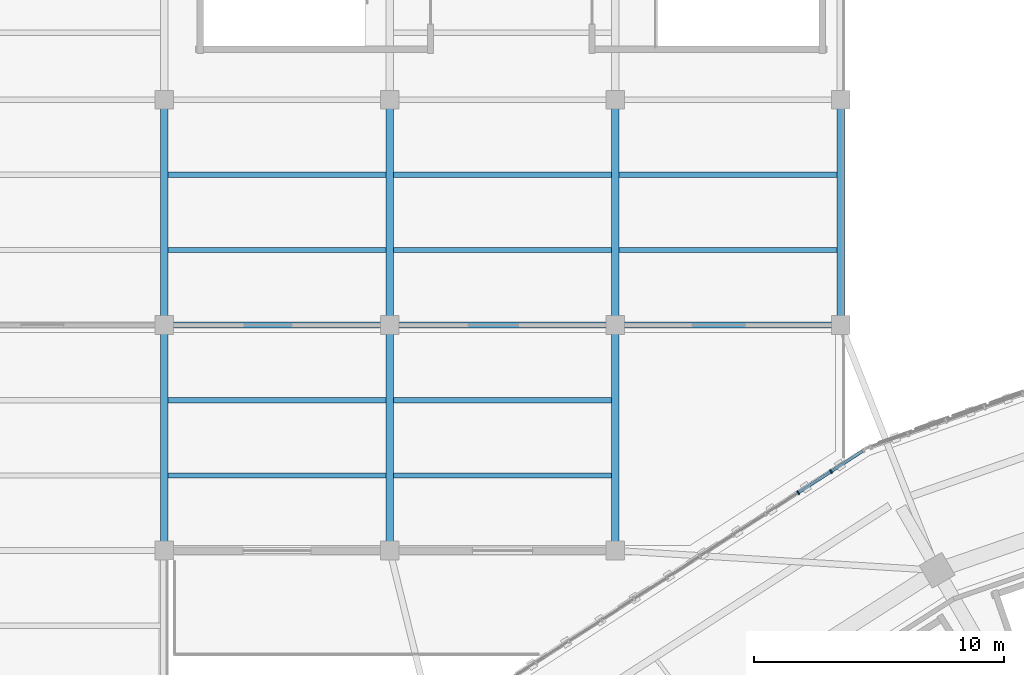
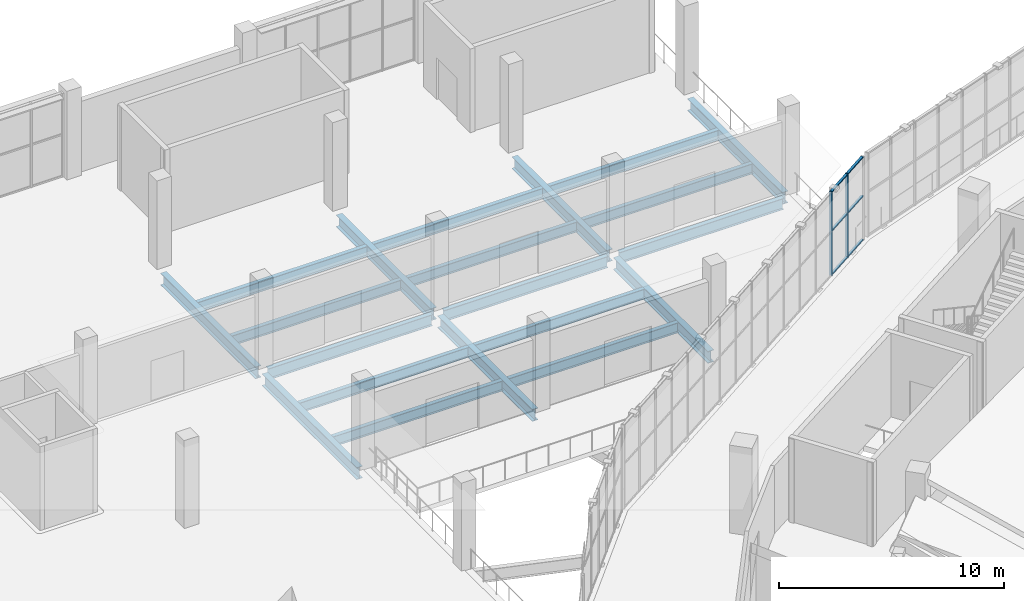
# One storey, part 53 of 152: 20 beams, 8 members, 1 element without a shape of its own.
"""IFC4 building model written with IfcOpenShell, lengths in metres."""

from ifc_helpers import new_model, si_unit, direction, frame, origin, origin_2d, place, context, subcontext, project, spatial, rectangle, i_section, extrude, material, material_profile, profile_set, type_object, element, aggregate, save


model = new_model("IFC4")

# Units and contexts
model_context = context("Model", 3, precision=1e-05, world=origin(), true_north=direction((0.0, 1.0)))
body_context = subcontext(model_context, "Body", "Model", "MODEL_VIEW")
ifc_project = project(units=[si_unit("LENGTHUNIT", "METRE"), si_unit("AREAUNIT", "SQUARE_METRE"), si_unit("VOLUMEUNIT", "CUBIC_METRE"), si_unit("PLANEANGLEUNIT", "RADIAN"), si_unit("MASSUNIT", "GRAM", prefix="KILO")], contexts=[model_context])

# Site, building, storey
site_placement = place(None, origin())
site = spatial("IfcSite", under=ifc_project, at=site_placement, CompositionType="ELEMENT")
building_placement = place(site_placement, origin())
building = spatial("IfcBuilding", under=site, at=building_placement, Name="Zevraka Park Crest Stadium", CompositionType="ELEMENT")
storey_placement = place(building_placement, frame((0.0, 0.0, 15.0)))
storey = spatial("IfcBuildingStorey", under=building, at=storey_placement, Name="L03", CompositionType="ELEMENT", Elevation=15.0)

# Beams
ifc_material_1 = material(Name="Steel S355", Category="steel")
ifc_material_profile_1 = material_profile(ifc_material_1, i_section(OverallWidth=0.300048828125, OverallDepth=0.64990234375, WebThickness=0.01611328125, FlangeThickness=0.031005859375, at=origin_2d()), Name="HEB 650")
ifc_profile_set_1 = profile_set([ifc_material_profile_1], Name="Steel S355")
beam_type_1 = type_object("IfcBeamType", Name="BG07", PredefinedType="BEAM", material=ifc_profile_set_1)
for number, where, z_axis, x_axis, name in (
    (1, (36.0, 158.300048828125, -0.633056640625), (0.0, 1.0, 0.0), (-1.0, 0.0, 0.0), "Wing Girder BG07 L03-5/TU"),
    (2, (36.0, 167.300048828125, -0.633056640625), (0.0, 1.0, 0.0), (-1.0, 0.0, 0.0), "Wing Girder BG07 L03-5/UV"),
    (3, (45.0, 158.300048828125, -0.633056640625), (0.0, 1.0, 0.0), (-1.0, 0.0, 0.0), "Wing Girder BG07 L03-6/TU"),
    (4, (45.0, 167.300048828125, -0.633056640625), (0.0, 1.0, 0.0), (-1.0, 0.0, 0.0), "Wing Girder BG07 L03-6/UV"),
    (5, (54.0, 158.300048828125, -0.633056640625), (0.0, 1.0, 0.0), (-1.0, 0.0, 0.0), "Wing Girder BG07 L03-7/TU"),
    (6, (54.0, 167.300048828125, -0.633056640625), (0.0, 1.0, 0.0), (-1.0, 0.0, 0.0), "Wing Girder BG07 L03-7/UV"),
    (7, (63.0, 167.300048828125, -0.633056640625), (0.0, 1.0, 0.0), (-1.0, 0.0, 0.0), "Wing Girder BG07 L03-8/UV"),
):
    element("IfcBeam", number, at=place(storey_placement, frame(where, z_axis=z_axis, x_axis=x_axis)), inside=storey, type_object=beam_type_1, Name=name, PredefinedType="BEAM", context=body_context, shape_type="SweptSolid", body=[
        extrude(i_section(OverallWidth=0.300048828125, OverallDepth=0.64990234375, WebThickness=0.01611328125, FlangeThickness=0.031005859375, at=origin_2d()), origin(), (0.0, 0.0, 1.0), 8.39990234375),
    ])
ifc_material_2 = material(Name="Steel S355", Category="steel")
ifc_material_profile_2 = material_profile(ifc_material_2, i_section(OverallWidth=0.22900390625, OverallDepth=0.612060546875, WebThickness=0.011962890625, FlangeThickness=0.01953125, at=origin_2d()), Name="UKB 610x229x125")
ifc_profile_set_2 = profile_set([ifc_material_profile_2], Name="Steel S355")
beam_type_2 = type_object("IfcBeamType", Name="BG09", PredefinedType="BEAM", material=ifc_profile_set_2)
for number, where, z_axis, x_axis, name in (
    (8, (36.300048828125, 167.0, -0.614013671875), (1.0, 0.0, 0.0), (0.0, 1.0, 0.0), "Wing Girder BG09 L03-56/U"),
    (9, (45.300048828125, 167.0, -0.614013671875), (1.0, 0.0, 0.0), (0.0, 1.0, 0.0), "Wing Girder BG09 L03-67/U"),
    (10, (54.300048828125, 167.0, -0.614013671875), (1.0, 0.0, 0.0), (0.0, 1.0, 0.0), "Wing Girder BG09 L03-78/U"),
):
    element("IfcBeam", number, at=place(storey_placement, frame(where, z_axis=z_axis, x_axis=x_axis)), inside=storey, type_object=beam_type_2, Name=name, PredefinedType="BEAM", context=body_context, shape_type="SweptSolid", body=[
        extrude(i_section(OverallWidth=0.22900390625, OverallDepth=0.612060546875, WebThickness=0.011962890625, FlangeThickness=0.01953125, at=origin_2d()), origin(), (0.0, 0.0, 1.0), 8.39990234375),
    ])

# Curtain wall, members
ifc_material_3 = material(Name="Anodised architectural aluminium and laminated safety glass", Category="aluminium")
curtain_wall_type = type_object("IfcCurtainWallType", Name="CW13", PredefinedType="NOTDEFINED", material=ifc_material_3)
curtain_wall_placement = place(storey_placement, origin())
curtain_wall = element("IfcCurtainWall", 11, at=curtain_wall_placement, inside=storey, type_object=curtain_wall_type, Name="Unitised Ring Curtain Wall CW13 L03-08", PredefinedType="NOTDEFINED")
ifc_material_4 = material(Name="Anodised architectural aluminium", Category="aluminium")
ifc_material_profile_3 = material_profile(ifc_material_4, rectangle(XDim=0.159912109375, YDim=0.06005859375, at=origin_2d()), Name="ALU MULLION 160x60")
ifc_profile_set_3 = profile_set([ifc_material_profile_3], Name="Anodised architectural aluminium")
member_type_1 = type_object("IfcMemberType", Name="CM01", PredefinedType="MULLION", material=ifc_profile_set_3)
member_1_placement = place(storey_placement, frame((62.6162109375, 161.156982421875, 0.0), z_axis=(0.0, 0.0, 1.0), x_axis=(0.543469160232, -0.839429134517, 0.0)))
member_1 = element("IfcMember", 12, at=member_1_placement, type_object=member_type_1, Name="CW13 mullion 2", PredefinedType="MULLION", context=body_context, shape_type="SweptSolid", body=[
    extrude(rectangle(XDim=0.159912109375, YDim=0.06005859375, at=origin_2d()), origin(), (0.0, 0.0, 1.0), 4.5400390625),
])
member_2_placement = place(storey_placement, frame((61.306396484375, 160.30908203125, 0.0), z_axis=(0.0, 0.0, 1.0), x_axis=(0.543469160232, -0.839429134517, 0.0)))
member_2 = element("IfcMember", 13, at=member_2_placement, type_object=member_type_1, Name="CW13 mullion 3", PredefinedType="MULLION", context=body_context, shape_type="SweptSolid", body=[
    extrude(rectangle(XDim=0.159912109375, YDim=0.06005859375, at=origin_2d()), origin(), (0.0, 0.0, 1.0), 4.5400390625),
])
ifc_material_5 = material(Name="Anodised architectural aluminium", Category="aluminium")
ifc_material_profile_4 = material_profile(ifc_material_5, rectangle(XDim=0.1201171875, YDim=0.06005859375, at=origin_2d()), Name="ALU TRANSOM 120x60")
ifc_profile_set_4 = profile_set([ifc_material_profile_4], Name="Anodised architectural aluminium")
member_type_2 = type_object("IfcMemberType", Name="CT01", PredefinedType="USERDEFINED", material=ifc_profile_set_4)
member_3_placement = place(storey_placement, frame((63.875732421875, 161.972412109375, 0.030029296875), z_axis=(-0.839458776454, -0.543423373286, 0.0), x_axis=(0.543423373286, -0.839458776454, 0.0)))
member_3 = element("IfcMember", 14, at=member_3_placement, type_object=member_type_2, Name="CW13 transom 1.1", ObjectType="TRANSOM", PredefinedType="USERDEFINED", context=body_context, shape_type="SweptSolid", body=[
    extrude(rectangle(XDim=0.1201171875, YDim=0.06005859375, at=origin_2d()), origin(), (0.0, 0.0, 1.0), 1.470458984375),
])
member_4_placement = place(storey_placement, frame((63.875732421875, 161.972412109375, 2.39990234375), z_axis=(-0.839458776454, -0.543423373286, 0.0), x_axis=(0.543423373286, -0.839458776454, 0.0)))
member_4 = element("IfcMember", 15, at=member_4_placement, type_object=member_type_2, Name="CW13 transom 1.2", ObjectType="TRANSOM", PredefinedType="USERDEFINED", context=body_context, shape_type="SweptSolid", body=[
    extrude(rectangle(XDim=0.1201171875, YDim=0.06005859375, at=origin_2d()), origin(), (0.0, 0.0, 1.0), 1.470458984375),
])
member_5_placement = place(storey_placement, frame((63.875732421875, 161.972412109375, 4.510009765625), z_axis=(-0.839458776454, -0.543423373286, 0.0), x_axis=(0.543423373286, -0.839458776454, 0.0)))
member_5 = element("IfcMember", 16, at=member_5_placement, type_object=member_type_2, Name="CW13 transom 1.3", ObjectType="TRANSOM", PredefinedType="USERDEFINED", context=body_context, shape_type="SweptSolid", body=[
    extrude(rectangle(XDim=0.1201171875, YDim=0.06005859375, at=origin_2d()), origin(), (0.0, 0.0, 1.0), 1.470458984375),
])
member_6_placement = place(storey_placement, frame((62.591064453125, 161.140625, 0.030029296875), z_axis=(-0.839434801762, -0.543460406645, 0.0), x_axis=(0.543460406645, -0.839434801762, 0.0)))
member_6 = element("IfcMember", 17, at=member_6_placement, type_object=member_type_2, Name="CW13 transom 2.1", ObjectType="TRANSOM", PredefinedType="USERDEFINED", context=body_context, shape_type="SweptSolid", body=[
    extrude(rectangle(XDim=0.1201171875, YDim=0.06005859375, at=origin_2d()), origin(), (0.0, 0.0, 1.0), 1.50048828125),
])
member_7_placement = place(storey_placement, frame((62.591064453125, 161.140625, 2.39990234375), z_axis=(-0.839434801762, -0.543460406645, 0.0), x_axis=(0.543460406645, -0.839434801762, 0.0)))
member_7 = element("IfcMember", 18, at=member_7_placement, type_object=member_type_2, Name="CW13 transom 2.2", ObjectType="TRANSOM", PredefinedType="USERDEFINED", context=body_context, shape_type="SweptSolid", body=[
    extrude(rectangle(XDim=0.1201171875, YDim=0.06005859375, at=origin_2d()), origin(), (0.0, 0.0, 1.0), 1.50048828125),
])
member_8_placement = place(storey_placement, frame((62.591064453125, 161.140625, 4.510009765625), z_axis=(-0.839434801762, -0.543460406645, 0.0), x_axis=(0.543460406645, -0.839434801762, 0.0)))
member_8 = element("IfcMember", 19, at=member_8_placement, type_object=member_type_2, Name="CW13 transom 2.3", ObjectType="TRANSOM", PredefinedType="USERDEFINED", context=body_context, shape_type="SweptSolid", body=[
    extrude(rectangle(XDim=0.1201171875, YDim=0.06005859375, at=origin_2d()), origin(), (0.0, 0.0, 1.0), 1.50048828125),
])
aggregate(curtain_wall, [member_1, member_2, member_3, member_4, member_5, member_6, member_7, member_8])

# Beams
ifc_material_6 = material(Name="Steel S355", Category="steel")
ifc_material_profile_5 = material_profile(ifc_material_6, i_section(OverallWidth=0.2099609375, OverallDepth=0.550048828125, WebThickness=0.010986328125, FlangeThickness=0.01708984375, at=origin_2d()), Name="IPE 550")
ifc_profile_set_5 = profile_set([ifc_material_profile_5], Name="Steel S355")
beam_type_3 = type_object("IfcBeamType", Name="SJ04", PredefinedType="JOIST", material=ifc_profile_set_5)
for number, where, z_axis, x_axis, name in (
    (20, (36.14501953125, 161.0, -0.5849609375), (1.0, 0.0, 0.0), (0.0, 1.0, 0.0), "Wing Joist SJ04 L03-5/T-1"),
    (21, (36.14501953125, 164.0, -0.5849609375), (1.0, 0.0, 0.0), (0.0, 1.0, 0.0), "Wing Joist SJ04 L03-5/T-2"),
    (22, (36.14501953125, 170.0, -0.5849609375), (1.0, 0.0, 0.0), (0.0, 1.0, 0.0), "Wing Joist SJ04 L03-5/U-1"),
    (23, (36.14501953125, 173.0, -0.5849609375), (1.0, 0.0, 0.0), (0.0, 1.0, 0.0), "Wing Joist SJ04 L03-5/U-2"),
    (24, (45.14501953125, 161.0, -0.5849609375), (1.0, 0.0, 0.0), (0.0, 1.0, 0.0), "Wing Joist SJ04 L03-6/T-1"),
    (25, (45.14501953125, 164.0, -0.5849609375), (1.0, 0.0, 0.0), (0.0, 1.0, 0.0), "Wing Joist SJ04 L03-6/T-2"),
    (26, (45.14501953125, 170.0, -0.5849609375), (1.0, 0.0, 0.0), (0.0, 1.0, 0.0), "Wing Joist SJ04 L03-6/U-1"),
    (27, (45.14501953125, 173.0, -0.5849609375), (1.0, 0.0, 0.0), (0.0, 1.0, 0.0), "Wing Joist SJ04 L03-6/U-2"),
    (28, (54.14501953125, 170.0, -0.5849609375), (1.0, 0.0, 0.0), (0.0, 1.0, 0.0), "Wing Joist SJ04 L03-7/U-1"),
    (29, (54.14501953125, 173.0, -0.5849609375), (1.0, 0.0, 0.0), (0.0, 1.0, 0.0), "Wing Joist SJ04 L03-7/U-2"),
):
    element("IfcBeam", number, at=place(storey_placement, frame(where, z_axis=z_axis, x_axis=x_axis)), inside=storey, type_object=beam_type_3, Name=name, PredefinedType="JOIST", context=body_context, shape_type="SweptSolid", body=[
        extrude(i_section(OverallWidth=0.2099609375, OverallDepth=0.550048828125, WebThickness=0.010986328125, FlangeThickness=0.01708984375, at=origin_2d()), origin(), (0.0, 0.0, 1.0), 8.7099609375),
    ])

save(model, "model.ifc")
